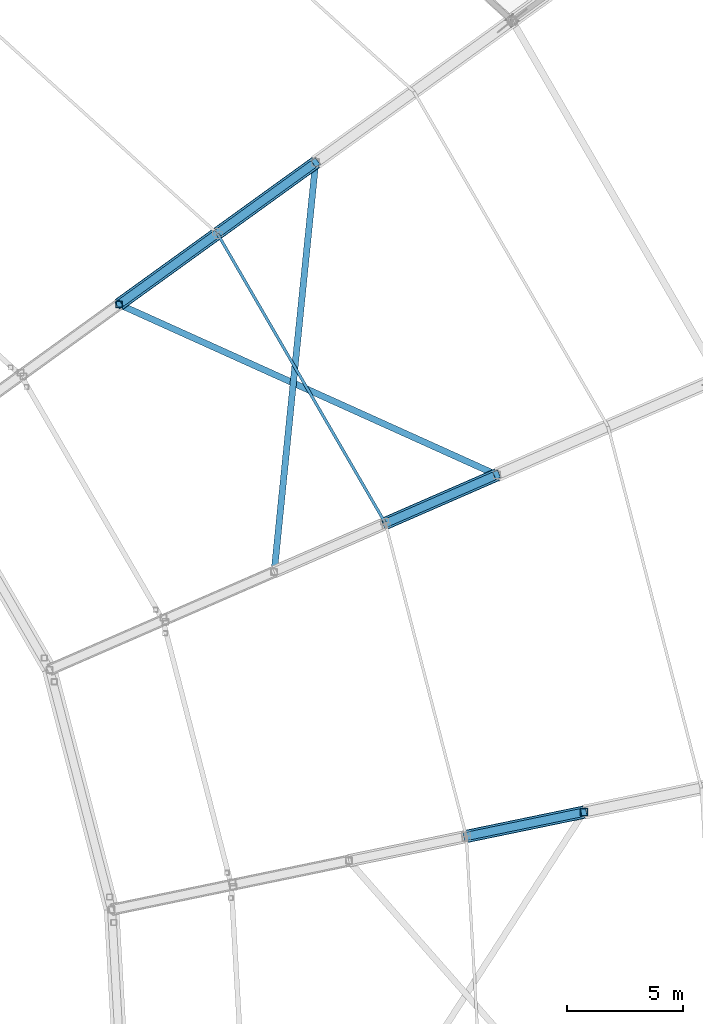
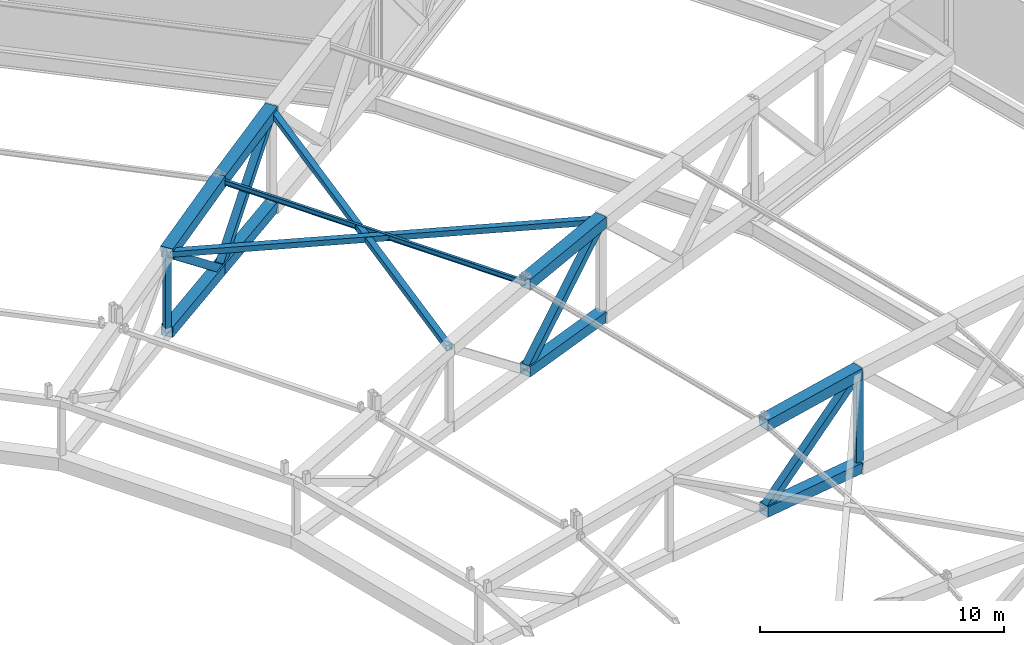
# One storey, part 62 of 162: 17 members.
"""IFC4 building model written with IfcOpenShell, lengths in metres."""

from ifc_helpers import new_model, si_unit, direction, frame, origin, origin_2d, place, context, subcontext, project, spatial, hollow_rectangle, i_section, extrude, material, material_profile, profile_set, type_object, element, save


model = new_model("IFC4")

# Units and contexts
model_context = context("Model", 3, precision=1e-05, world=origin(), true_north=direction((0.0, 1.0)))
body_context = subcontext(model_context, "Body", "Model", "MODEL_VIEW")
ifc_project = project(units=[si_unit("LENGTHUNIT", "METRE"), si_unit("AREAUNIT", "SQUARE_METRE"), si_unit("VOLUMEUNIT", "CUBIC_METRE"), si_unit("PLANEANGLEUNIT", "RADIAN"), si_unit("MASSUNIT", "GRAM", prefix="KILO")], contexts=[model_context])

# Site, building, storey
site_placement = place(None, origin())
site = spatial("IfcSite", under=ifc_project, at=site_placement, CompositionType="ELEMENT")
building_placement = place(site_placement, origin())
building = spatial("IfcBuilding", under=site, at=building_placement, Name="Kazemori Nagisa Stadium", CompositionType="ELEMENT")
storey_placement = place(building_placement, frame((0.0, 0.0, 36.719970703125)))
storey = spatial("IfcBuildingStorey", under=building, at=storey_placement, Name="RF", CompositionType="ELEMENT", Elevation=36.719970703125)

# Members
ifc_material_1 = material(Name="Steel STKR490", Category="steel")
ifc_material_profile_1 = material_profile(ifc_material_1, hollow_rectangle(XDim=0.280029296875, YDim=0.280029296875, WallThickness=0.010009765625, at=origin_2d()), Name="SHS-280x280x10")
ifc_profile_set_1 = profile_set([ifc_material_profile_1], Name="Steel STKR490")
member_type_1 = type_object("IfcMemberType", Name="Member_TB-SHS280", PredefinedType="BRACE", material=ifc_profile_set_1)
member_1_placement = place(storey_placement, frame((189.841552734375, 131.1396484375, 5.634033203125), z_axis=(-0.911199169551, 0.411354683098, -0.022436535017), x_axis=(-0.411458259788, -0.911428604144, 0.0)))
element("IfcMember", 1, at=member_1_placement, inside=storey, type_object=member_type_1, Name="Roof space truss plan brace B03-1", PredefinedType="BRACE", context=body_context, shape_type="SweptSolid", body=[
    extrude(hollow_rectangle(XDim=0.280029296875, YDim=0.280029296875, WallThickness=0.010009765625, at=origin_2d()), origin(), (0.0, 0.0, 1.0), 17.878173828125),
])
member_2_placement = place(storey_placement, frame((182.028564453125, 144.614013671875, 5.699951171875), z_axis=(-0.100608673742, -0.994442087697, -0.031029485739), x_axis=(0.994921172515, -0.100657143219, 0.0)))
element("IfcMember", 2, at=member_2_placement, inside=storey, type_object=member_type_1, Name="Roof space truss plan brace B03-2", PredefinedType="BRACE", context=body_context, shape_type="SweptSolid", body=[
    extrude(hollow_rectangle(XDim=0.280029296875, YDim=0.280029296875, WallThickness=0.010009765625, at=origin_2d()), origin(), (0.0, 0.0, 1.0), 17.758056640625),
])
ifc_material_profile_2 = material_profile(ifc_material_1, hollow_rectangle(XDim=0.360107421875, YDim=0.360107421875, WallThickness=0.013916015625, at=origin_2d()), Name="SHS-360x360x14")
ifc_profile_set_2 = profile_set([ifc_material_profile_2], Name="Steel STKR490")
member_type_2 = type_object("IfcMemberType", Name="Member_TB-SHS360", PredefinedType="BRACE", material=ifc_profile_set_2)
member_3_placement = place(storey_placement, frame((193.598388671875, 116.587158203125, 5.593994140625), z_axis=(-0.737268078289, -0.152353350539, -0.658197719014), x_axis=(0.202370113198, -0.979309112224, 0.0)))
element("IfcMember", 3, at=member_3_placement, inside=storey, type_object=member_type_2, Name="Roof space truss diagonal RT-02-6", PredefinedType="BRACE", context=body_context, shape_type="SweptSolid", body=[
    extrude(hollow_rectangle(XDim=0.360107421875, YDim=0.360107421875, WallThickness=0.013916015625, at=origin_2d()), origin(), (0.0, 0.0, 1.0), 6.876220703125),
])
member_4_placement = place(storey_placement, frame((189.841552734375, 131.1396484375, 5.634033203125), z_axis=(-0.692328982626, -0.301828672945, -0.655423551609), x_axis=(0.399634648115, -0.916674504951, 0.0)))
element("IfcMember", 4, at=member_4_placement, inside=storey, type_object=member_type_2, Name="Roof space truss diagonal RT-03-6", PredefinedType="BRACE", context=body_context, shape_type="SweptSolid", body=[
    extrude(hollow_rectangle(XDim=0.360107421875, YDim=0.360107421875, WallThickness=0.013916015625, at=origin_2d()), origin(), (0.0, 0.0, 1.0), 6.932861328125),
])
member_5_placement = place(storey_placement, frame((182.028564453125, 144.614013671875, 5.699951171875), z_axis=(-0.610155145397, -0.440484079738, -0.65854724511), x_axis=(0.585330267791, -0.810794966442, 0.0)))
element("IfcMember", 5, at=member_5_placement, inside=storey, type_object=member_type_2, Name="Roof space truss diagonal RT-04-6", PredefinedType="BRACE", context=body_context, shape_type="SweptSolid", body=[
    extrude(hollow_rectangle(XDim=0.360107421875, YDim=0.360107421875, WallThickness=0.013916015625, at=origin_2d()), origin(), (0.0, 0.0, 1.0), 6.947021484375),
])
member_6_placement = place(storey_placement, frame((177.789794921875, 141.553955078125, 1.125), z_axis=(-0.637527526217, -0.46024478825, 0.61784576409), x_axis=(0.585330267791, -0.810794966442, 0.0)))
element("IfcMember", 6, at=member_6_placement, inside=storey, type_object=member_type_2, Name="Roof space truss diagonal RT-04-7", PredefinedType="BRACE", context=body_context, shape_type="SweptSolid", body=[
    extrude(hollow_rectangle(XDim=0.360107421875, YDim=0.360107421875, WallThickness=0.013916015625, at=origin_2d()), origin(), (0.0, 0.0, 1.0), 6.648681640625),
])
ifc_material_profile_3 = material_profile(ifc_material_1, hollow_rectangle(XDim=0.52001953125, YDim=0.52001953125, WallThickness=0.01904296875, at=origin_2d()), Name="SHS-520x520x19")
ifc_profile_set_3 = profile_set([ifc_material_profile_3], Name="Steel STKR490")
member_type_3 = type_object("IfcMemberType", Name="Member_TC-SHS520", PredefinedType="CHORD", material=ifc_profile_set_3)
member_7_placement = place(storey_placement, frame((193.598388671875, 116.587158203125, 0.864990234375), z_axis=(-0.978556084389, -0.20221450316, 0.039208218744), x_axis=(0.202370113198, -0.979309112224, 0.0)))
element("IfcMember", 7, at=member_7_placement, inside=storey, type_object=member_type_3, Name="Roof space truss bottom chord RT-02-6", PredefinedType="CHORD", context=body_context, shape_type="SweptSolid", body=[
    extrude(hollow_rectangle(XDim=0.52001953125, YDim=0.52001953125, WallThickness=0.01904296875, at=origin_2d()), origin(), (0.0, 0.0, 1.0), 5.1806640625),
])
member_8_placement = place(storey_placement, frame((189.841552734375, 131.1396484375, 0.880126953125), z_axis=(-0.915938430073, -0.399313747922, 0.040066482699), x_axis=(0.399634648115, -0.916674504951, 0.0)))
element("IfcMember", 8, at=member_8_placement, inside=storey, type_object=member_type_3, Name="Roof space truss bottom chord RT-03-6", PredefinedType="CHORD", context=body_context, shape_type="SweptSolid", body=[
    extrude(hollow_rectangle(XDim=0.52001953125, YDim=0.52001953125, WallThickness=0.01904296875, at=origin_2d()), origin(), (0.0, 0.0, 1.0), 5.240234375),
])
member_9_placement = place(storey_placement, frame((182.028564453125, 144.614013671875, 0.904052734375), z_axis=(-0.810071831283, -0.584808221017, 0.042225262488), x_axis=(0.585330267791, -0.810794966442, 0.0)))
element("IfcMember", 9, at=member_9_placement, inside=storey, type_object=member_type_3, Name="Roof space truss bottom chord RT-04-6", PredefinedType="CHORD", context=body_context, shape_type="SweptSolid", body=[
    extrude(hollow_rectangle(XDim=0.52001953125, YDim=0.52001953125, WallThickness=0.01904296875, at=origin_2d()), origin(), (0.0, 0.0, 1.0), 5.232666015625),
])
member_10_placement = place(storey_placement, frame((177.789794921875, 141.553955078125, 1.125), z_axis=(-0.81018951734, -0.584893181105, 0.038638228335), x_axis=(0.585330267791, -0.810794966442, 0.0)))
element("IfcMember", 10, at=member_10_placement, inside=storey, type_object=member_type_3, Name="Roof space truss bottom chord RT-04-7", PredefinedType="CHORD", context=body_context, shape_type="SweptSolid", body=[
    extrude(hollow_rectangle(XDim=0.52001953125, YDim=0.52001953125, WallThickness=0.01904296875, at=origin_2d()), origin(), (0.0, 0.0, 1.0), 5.23193359375),
])
ifc_material_profile_4 = material_profile(ifc_material_1, hollow_rectangle(XDim=0.56005859375, YDim=0.56005859375, WallThickness=0.02001953125, at=origin_2d()), Name="SHS-560x560x20")
ifc_profile_set_4 = profile_set([ifc_material_profile_4], Name="Steel STKR490")
member_type_4 = type_object("IfcMemberType", Name="Member_TC-SHS560", PredefinedType="CHORD", material=ifc_profile_set_4)
member_11_placement = place(storey_placement, frame((193.598388671875, 116.587158203125, 5.593994140625), z_axis=(-0.978607608838, -0.202225150471, -0.037843578613), x_axis=(0.202370113198, -0.979309112224, 0.0)))
element("IfcMember", 11, at=member_11_placement, inside=storey, type_object=member_type_4, Name="Roof space truss top chord RT-02-6", PredefinedType="CHORD", context=body_context, shape_type="SweptSolid", body=[
    extrude(hollow_rectangle(XDim=0.56005859375, YDim=0.56005859375, WallThickness=0.02001953125, at=origin_2d()), origin(), (0.0, 0.0, 1.0), 5.180419921875),
])
member_12_placement = place(storey_placement, frame((189.841552734375, 131.1396484375, 5.634033203125), z_axis=(-0.916121959291, -0.399393759567, -0.034715710055), x_axis=(0.399634648115, -0.916674504951, 0.0)))
element("IfcMember", 12, at=member_12_placement, inside=storey, type_object=member_type_4, Name="Roof space truss top chord RT-03-6", PredefinedType="CHORD", context=body_context, shape_type="SweptSolid", body=[
    extrude(hollow_rectangle(XDim=0.56005859375, YDim=0.56005859375, WallThickness=0.02001953125, at=origin_2d()), origin(), (0.0, 0.0, 1.0), 5.2392578125),
])
member_13_placement = place(storey_placement, frame((182.028564453125, 144.614013671875, 5.699951171875), z_axis=(-0.81040662067, -0.585049912653, -0.030946871876), x_axis=(0.585330267791, -0.810794966442, 0.0)))
element("IfcMember", 13, at=member_13_placement, inside=storey, type_object=member_type_4, Name="Roof space truss top chord RT-04-6", PredefinedType="CHORD", context=body_context, shape_type="SweptSolid", body=[
    extrude(hollow_rectangle(XDim=0.56005859375, YDim=0.56005859375, WallThickness=0.02001953125, at=origin_2d()), origin(), (0.0, 0.0, 1.0), 5.23046875),
])
member_14_placement = place(storey_placement, frame((177.789794921875, 141.553955078125, 5.5380859375), z_axis=(-0.809417073496, -0.584335537335, -0.058275045609), x_axis=(0.585330267791, -0.810794966442, 0.0)))
element("IfcMember", 14, at=member_14_placement, inside=storey, type_object=member_type_4, Name="Roof space truss top chord RT-04-7", PredefinedType="CHORD", context=body_context, shape_type="SweptSolid", body=[
    extrude(hollow_rectangle(XDim=0.56005859375, YDim=0.56005859375, WallThickness=0.02001953125, at=origin_2d()), origin(), (0.0, 0.0, 1.0), 5.23681640625),
])
ifc_material_2 = material(Name="Steel SN490B", Category="steel")
ifc_material_profile_5 = material_profile(ifc_material_2, i_section(OverallWidth=0.125, OverallDepth=0.25, WebThickness=0.006103515625, FlangeThickness=0.009033203125, FilletRadius=0.008056640625, at=origin_2d()), Name="H-250x125x6x9")
ifc_profile_set_5 = profile_set([ifc_material_profile_5], Name="Steel SN490B")
member_type_5 = type_object("IfcMemberType", Name="Member_TP-H250", PredefinedType="PURLIN", material=ifc_profile_set_5)
member_15_placement = place(storey_placement, frame((185.041748046875, 129.047119140625, 5.4521484375), z_axis=(-0.501605101619, 0.865076290928, 0.005944148794), x_axis=(-0.865091574162, -0.501613963436, 0.0)))
element("IfcMember", 15, at=member_15_placement, inside=storey, type_object=member_type_5, Name="Roof purlin TP-H250 B03-P6", PredefinedType="PURLIN", context=body_context, shape_type="SweptSolid", body=[
    extrude(i_section(OverallWidth=0.125, OverallDepth=0.25, WebThickness=0.006103515625, FlangeThickness=0.009033203125, FilletRadius=0.008056640625, at=origin_2d()), origin(), (0.0, 0.0, 1.0), 14.45751953125),
])
ifc_material_profile_6 = material_profile(ifc_material_1, hollow_rectangle(XDim=0.280029296875, YDim=0.280029296875, WallThickness=0.010009765625, at=origin_2d()), Name="SHS-280x280x10")
ifc_profile_set_6 = profile_set([ifc_material_profile_6], Name="Steel STKR490")
member_type_6 = type_object("IfcMemberType", Name="Member_TS-SHS280", PredefinedType="STRUT", material=ifc_profile_set_6)
member_16_placement = place(storey_placement, frame((173.551025390625, 138.493896484375, 1.3271484375), z_axis=(0.0, 0.0, 1.0), x_axis=(1.0, 0.0, 0.0)))
element("IfcMember", 16, at=member_16_placement, inside=storey, type_object=member_type_6, Name="Roof space truss strut RT-04-8", PredefinedType="STRUT", context=body_context, shape_type="SweptSolid", body=[
    extrude(hollow_rectangle(XDim=0.280029296875, YDim=0.280029296875, WallThickness=0.010009765625, at=origin_2d()), origin(), (0.0, 0.0, 1.0), 3.90576171875),
])
ifc_material_profile_7 = material_profile(ifc_material_1, hollow_rectangle(XDim=0.320068359375, YDim=0.320068359375, WallThickness=0.011962890625, at=origin_2d()), Name="SHS-320x320x12")
ifc_profile_set_7 = profile_set([ifc_material_profile_7], Name="Steel STKR490")
member_type_7 = type_object("IfcMemberType", Name="Member_TS-SHS320", PredefinedType="STRUT", material=ifc_profile_set_7)
member_17_placement = place(storey_placement, frame((193.598388671875, 116.587158203125, 0.864990234375), z_axis=(0.0, 0.0, 1.0), x_axis=(1.0, 0.0, 0.0)))
element("IfcMember", 17, at=member_17_placement, inside=storey, type_object=member_type_7, Name="Roof space truss strut RT-02-6", PredefinedType="STRUT", context=body_context, shape_type="SweptSolid", body=[
    extrude(hollow_rectangle(XDim=0.320068359375, YDim=0.320068359375, WallThickness=0.011962890625, at=origin_2d()), origin(), (0.0, 0.0, 1.0), 4.72900390625),
])

save(model, "model.ifc")
